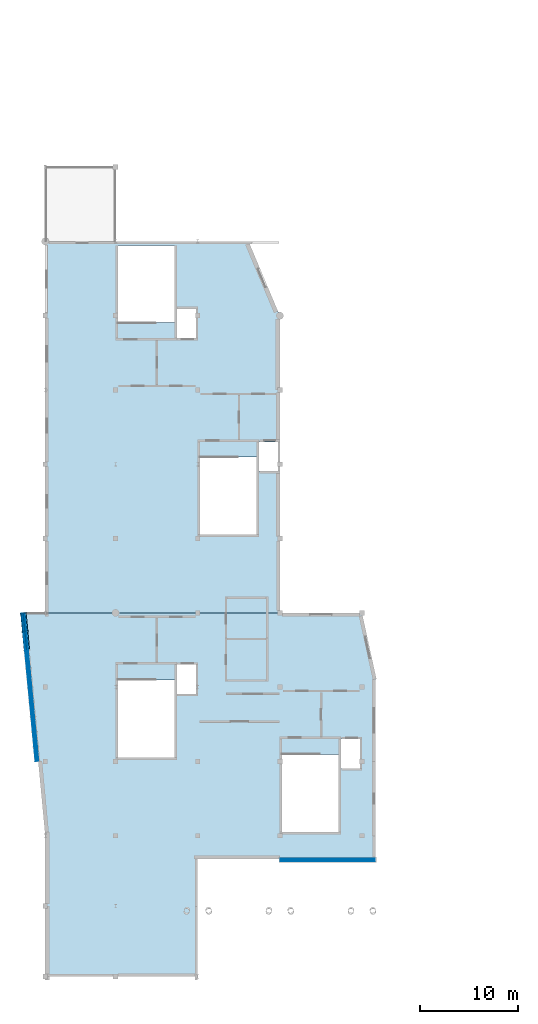
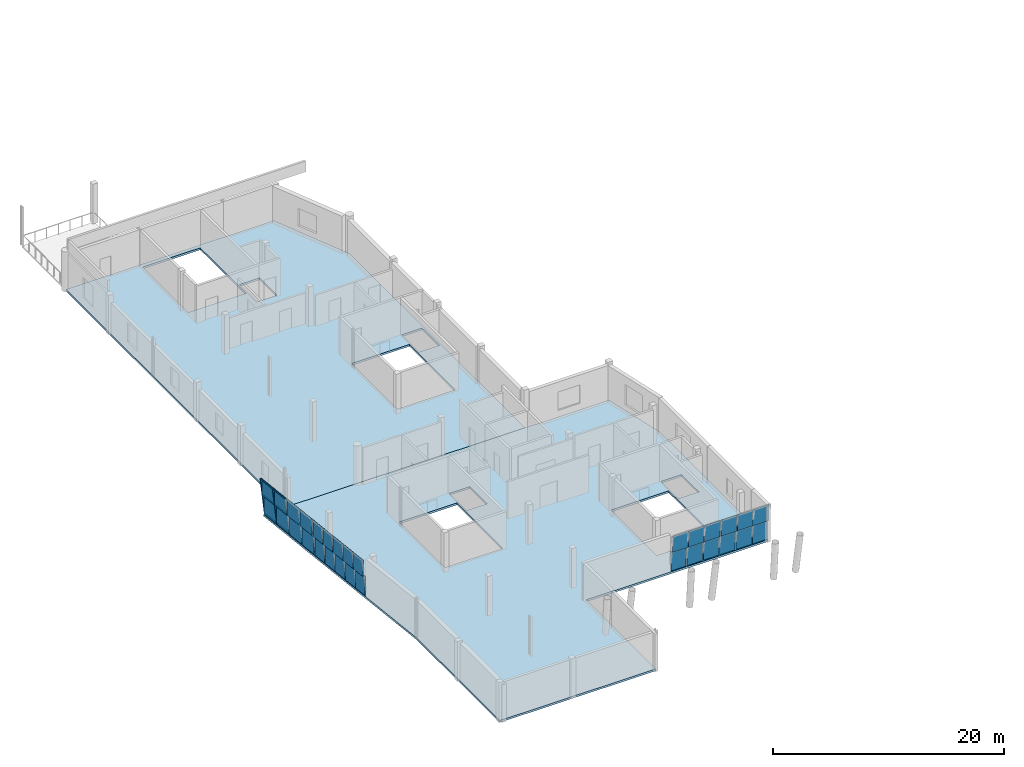
# One storey, part 9 of 17: 30 plates, 8 members, 2 slabs, 3 elements without a shape of their own.
"""IFC4 building model written with IfcOpenShell, lengths in metres."""

from ifc_helpers import new_model, si_unit, direction, frame, origin, origin_2d, place, context, subcontext, project, spatial, polyline, rectangle, hollow_rectangle, outline, extrude, material, layer, layer_set, material_profile, profile_set, type_object, element, aggregate, save


model = new_model("IFC4")

# Units and contexts
model_context = context("Model", 3, precision=1e-05, world=origin(), true_north=direction((0.0, 1.0)))
body_context = subcontext(model_context, "Body", "Model", "MODEL_VIEW")
ifc_project = project(units=[si_unit("LENGTHUNIT", "METRE"), si_unit("AREAUNIT", "SQUARE_METRE"), si_unit("VOLUMEUNIT", "CUBIC_METRE"), si_unit("PLANEANGLEUNIT", "RADIAN"), si_unit("MASSUNIT", "GRAM", prefix="KILO")], contexts=[model_context])

# Site, building, storey
site_placement = place(None, origin())
site = spatial("IfcSite", under=ifc_project, at=site_placement, CompositionType="ELEMENT")
building_placement = place(site_placement, origin())
building = spatial("IfcBuilding", under=site, at=building_placement, Name="Xicomal Pleat Aquarium", CompositionType="ELEMENT")
storey_placement = place(building_placement, frame((0.0, 0.0, 19.800048828125)))
storey = spatial("IfcBuildingStorey", under=building, at=storey_placement, Name="L05", CompositionType="ELEMENT", Elevation=19.800048828125)

# Curtain wall, members
ifc_material_1 = material(Name="Bronze anodized aluminium 6063-T6", Category="aluminium")
ifc_layer_1 = layer(ifc_material_1, 0.159912109375)
ifc_layer_set_1 = layer_set([ifc_layer_1], Name="Bronze anodized aluminium 6063-T6")
curtain_wall_type_1 = type_object("IfcCurtainWallType", Name="CW-SYS-10", PredefinedType="NOTDEFINED", material=ifc_layer_set_1)
curtain_wall_1_placement = place(storey_placement, origin())
curtain_wall_1 = element("IfcCurtainWall", 1, at=curtain_wall_1_placement, inside=storey, type_object=curtain_wall_type_1, Name="L05 unitised curtain wall CW-L05-175", PredefinedType="NOTDEFINED")
ifc_material_2 = material(Name="Bronze anodized aluminium 6063-T6", Category="aluminium")
ifc_material_profile_1 = material_profile(ifc_material_2, hollow_rectangle(XDim=0.074951171875, YDim=0.199951171875, WallThickness=0.00439453125, at=origin_2d()), Name="ALU MULL 75x200")
ifc_profile_set_1 = profile_set([ifc_material_profile_1], Name="Bronze anodized aluminium 6063-T6")
member_type_1 = type_object("IfcMemberType", Name="CWM-75x200", PredefinedType="MULLION", material=ifc_profile_set_1)
member_1_placement = place(storey_placement, frame((1.168212890625, 36.113037109375, 0.0), z_axis=(-0.117846238756, -0.01114182621, 0.992969346818), x_axis=(-0.186560223581, 0.982380614329, -0.011118073896)))
member_1 = element("IfcMember", 2, at=member_1_placement, type_object=member_type_1, Name="CW-10 mullion 4", PredefinedType="MULLION", context=body_context, shape_type="SweptSolid", body=[
    extrude(hollow_rectangle(XDim=0.074951171875, YDim=0.199951171875, WallThickness=0.00439453125, at=origin_2d()), origin(), (0.0, 0.0, 1.0), 3.988037109375),
])
member_2_placement = place(storey_placement, frame((0.992431640625, 37.9755859375, 0.0), z_axis=(-0.117846318917, -0.011080614922, 0.992970022252), x_axis=(-0.186054431186, 0.982476538601, -0.011117541711)))
member_2 = element("IfcMember", 3, at=member_2_placement, type_object=member_type_1, Name="CW-10 mullion 5", PredefinedType="MULLION", context=body_context, shape_type="SweptSolid", body=[
    extrude(hollow_rectangle(XDim=0.074951171875, YDim=0.199951171875, WallThickness=0.00439453125, at=origin_2d()), origin(), (0.0, 0.0, 1.0), 3.988037109375),
])
ifc_material_3 = material(Name="Bronze anodized aluminium 6063-T6", Category="aluminium")
ifc_material_profile_2 = material_profile(ifc_material_3, hollow_rectangle(XDim=0.074951171875, YDim=0.14990234375, WallThickness=0.00439453125, at=origin_2d()), Name="ALU TRAN 75x150")
ifc_profile_set_2 = profile_set([ifc_material_profile_2], Name="Bronze anodized aluminium 6063-T6")
member_type_2 = type_object("IfcMemberType", Name="CWT-75x150", PredefinedType="USERDEFINED", material=ifc_profile_set_2)
member_3_placement = place(storey_placement, frame((1.339599609375, 34.25, 0.037353515625), z_axis=(-0.094017231479, 0.995570570168, 0.0), x_axis=(-0.995570570168, -0.094017231479, 0.0)))
member_3 = element("IfcMember", 4, at=member_3_placement, type_object=member_type_2, Name="CW-10 transom 3.1", ObjectType="TRANSOM", PredefinedType="USERDEFINED", context=body_context, shape_type="SweptSolid", body=[
    extrude(hollow_rectangle(XDim=0.074951171875, YDim=0.14990234375, WallThickness=0.00439453125, at=origin_2d()), origin(), (0.0, 0.0, 1.0), 1.833251953125),
])
member_4_placement = place(storey_placement, frame((1.090087890625, 34.226318359375, 2.137939453125), z_axis=(-0.093872791349, 0.995584199877, 0.0), x_axis=(-0.995584199877, -0.093872791349, 0.0)))
member_4 = element("IfcMember", 5, at=member_4_placement, type_object=member_type_2, Name="CW-10 transom 3.2", ObjectType="TRANSOM", PredefinedType="USERDEFINED", context=body_context, shape_type="SweptSolid", body=[
    extrude(hollow_rectangle(XDim=0.074951171875, YDim=0.14990234375, WallThickness=0.00439453125, at=origin_2d()), origin(), (0.0, 0.0, 1.0), 1.83349609375),
])
member_5_placement = place(storey_placement, frame((0.87841796875, 34.206298828125, 3.92236328125), z_axis=(-0.094004768412, 0.995571747046, 0.0), x_axis=(-0.995571747046, -0.094004768412, 0.0)))
member_5 = element("IfcMember", 6, at=member_5_placement, type_object=member_type_2, Name="CW-10 transom 3.3", ObjectType="TRANSOM", PredefinedType="USERDEFINED", context=body_context, shape_type="SweptSolid", body=[
    extrude(hollow_rectangle(XDim=0.074951171875, YDim=0.14990234375, WallThickness=0.00439453125, at=origin_2d()), origin(), (0.0, 0.0, 1.0), 1.83349609375),
])
member_6_placement = place(storey_placement, frame((1.160400390625, 36.14990234375, 0.037353515625), z_axis=(-0.093930221081, 0.995578783205, 0.0), x_axis=(-0.995578783205, -0.093930221081, 0.0)))
member_6 = element("IfcMember", 7, at=member_6_placement, type_object=member_type_2, Name="CW-10 transom 4.1", ObjectType="TRANSOM", PredefinedType="USERDEFINED", context=body_context, shape_type="SweptSolid", body=[
    extrude(hollow_rectangle(XDim=0.074951171875, YDim=0.14990234375, WallThickness=0.00439453125, at=origin_2d()), origin(), (0.0, 0.0, 1.0), 1.796142578125),
])
member_7_placement = place(storey_placement, frame((0.910888671875, 36.12646484375, 2.137939453125), z_axis=(-0.093942934629, 0.995577583633, 0.0), x_axis=(-0.995577583633, -0.093942934629, 0.0)))
member_7 = element("IfcMember", 8, at=member_7_placement, type_object=member_type_2, Name="CW-10 transom 4.2", ObjectType="TRANSOM", PredefinedType="USERDEFINED", context=body_context, shape_type="SweptSolid", body=[
    extrude(hollow_rectangle(XDim=0.074951171875, YDim=0.14990234375, WallThickness=0.00439453125, at=origin_2d()), origin(), (0.0, 0.0, 1.0), 1.7958984375),
])
member_8_placement = place(storey_placement, frame((0.69921875, 36.1064453125, 3.92236328125), z_axis=(-0.093942934629, 0.995577583633, 0.0), x_axis=(-0.995577583633, -0.093942934629, 0.0)))
member_8 = element("IfcMember", 9, at=member_8_placement, type_object=member_type_2, Name="CW-10 transom 4.3", ObjectType="TRANSOM", PredefinedType="USERDEFINED", context=body_context, shape_type="SweptSolid", body=[
    extrude(hollow_rectangle(XDim=0.074951171875, YDim=0.14990234375, WallThickness=0.00439453125, at=origin_2d()), origin(), (0.0, 0.0, 1.0), 1.7958984375),
])

# Curtain wall, plates
ifc_material_4 = material(Name="Bronze anodized aluminium 6063-T6", Category="aluminium")
ifc_layer_2 = layer(ifc_material_4, 0.159912109375)
ifc_layer_set_2 = layer_set([ifc_layer_2], Name="Bronze anodized aluminium 6063-T6")
curtain_wall_type_2 = type_object("IfcCurtainWallType", Name="CW-SYS-05", PredefinedType="NOTDEFINED", material=ifc_layer_set_2)
curtain_wall_2_placement = place(storey_placement, origin())
curtain_wall_2 = element("IfcCurtainWall", 10, at=curtain_wall_2_placement, inside=storey, type_object=curtain_wall_type_2, Name="L05 unitised curtain wall CW-L05-173", PredefinedType="NOTDEFINED")
ifc_material_5 = material(Name="Insulated low-E laminated glass", Category="glass")
ifc_layer_3 = layer(ifc_material_5, 0.031982421875)
ifc_layer_set_3 = layer_set([ifc_layer_3], Name="Insulated low-E laminated glass")
plate_type_1 = type_object("IfcPlateType", Name="CWP-GLZ-32", PredefinedType="CURTAIN_PANEL", material=ifc_layer_set_3)
plate_1_placement = place(storey_placement, frame((35.962158203125, 12.85009765625, 0.0849609375), z_axis=(0.0, 0.0, 1.0), x_axis=(-1.0, 0.0, 0.0)))
plate_1 = element("IfcPlate", 11, at=plate_1_placement, type_object=plate_type_1, Name="CW-05 panel 1.1", PredefinedType="CURTAIN_PANEL", context=body_context, shape_type="SweptSolid", body=[
    extrude(rectangle(XDim=1.505859375, YDim=0.031982421875, at=origin_2d()), origin(), (0.0, 0.0, 1.0), 2.010498046875),
])
plate_2_placement = place(storey_placement, frame((35.962158203125, 12.618896484375, 2.1806640625), z_axis=(0.0, 0.0, 1.0), x_axis=(-1.0, 0.0, 0.0)))
plate_2 = element("IfcPlate", 12, at=plate_2_placement, type_object=plate_type_1, Name="CW-05 panel 1.2", PredefinedType="CURTAIN_PANEL", context=body_context, shape_type="SweptSolid", body=[
    extrude(rectangle(XDim=1.505859375, YDim=0.031982421875, at=origin_2d()), origin(), (0.0, 0.0, 1.0), 1.694580078125),
])
plate_3_placement = place(storey_placement, frame((34.35009765625, 12.85009765625, 0.0849609375), z_axis=(0.0, 0.0, 1.0), x_axis=(-1.0, 0.0, 0.0)))
plate_3 = element("IfcPlate", 13, at=plate_3_placement, type_object=plate_type_1, Name="CW-05 panel 2.1", PredefinedType="CURTAIN_PANEL", context=body_context, shape_type="SweptSolid", body=[
    extrude(rectangle(XDim=1.54833984375, YDim=0.031982421875, at=origin_2d()), origin(), (0.0, 0.0, 1.0), 2.010498046875),
])
plate_4_placement = place(storey_placement, frame((34.35009765625, 12.618896484375, 2.1806640625), z_axis=(0.0, 0.0, 1.0), x_axis=(-1.0, 0.0, 0.0)))
plate_4 = element("IfcPlate", 14, at=plate_4_placement, type_object=plate_type_1, Name="CW-05 panel 2.2", PredefinedType="CURTAIN_PANEL", context=body_context, shape_type="SweptSolid", body=[
    extrude(rectangle(XDim=1.54833984375, YDim=0.031982421875, at=origin_2d()), origin(), (0.0, 0.0, 1.0), 1.694580078125),
])
plate_5_placement = place(storey_placement, frame((32.716796875, 12.85009765625, 0.0849609375), z_axis=(0.0, 0.0, 1.0), x_axis=(-1.0, 0.0, 0.0)))
plate_5 = element("IfcPlate", 15, at=plate_5_placement, type_object=plate_type_1, Name="CW-05 panel 3.1", PredefinedType="CURTAIN_PANEL", context=body_context, shape_type="SweptSolid", body=[
    extrude(rectangle(XDim=1.54833984375, YDim=0.031982421875, at=origin_2d()), origin(), (0.0, 0.0, 1.0), 2.010498046875),
])
plate_6_placement = place(storey_placement, frame((32.716796875, 12.618896484375, 2.1806640625), z_axis=(0.0, 0.0, 1.0), x_axis=(-1.0, 0.0, 0.0)))
plate_6 = element("IfcPlate", 16, at=plate_6_placement, type_object=plate_type_1, Name="CW-05 panel 3.2", PredefinedType="CURTAIN_PANEL", context=body_context, shape_type="SweptSolid", body=[
    extrude(rectangle(XDim=1.54833984375, YDim=0.031982421875, at=origin_2d()), origin(), (0.0, 0.0, 1.0), 1.694580078125),
])
plate_7_placement = place(storey_placement, frame((31.083251953125, 12.85009765625, 0.0849609375), z_axis=(0.0, 0.0, 1.0), x_axis=(-1.0, 0.0, 0.0)))
plate_7 = element("IfcPlate", 17, at=plate_7_placement, type_object=plate_type_1, Name="CW-05 panel 4.1", PredefinedType="CURTAIN_PANEL", context=body_context, shape_type="SweptSolid", body=[
    extrude(rectangle(XDim=1.54833984375, YDim=0.031982421875, at=origin_2d()), origin(), (0.0, 0.0, 1.0), 2.010498046875),
])
plate_8_placement = place(storey_placement, frame((31.083251953125, 12.618896484375, 2.1806640625), z_axis=(0.0, 0.0, 1.0), x_axis=(-1.0, 0.0, 0.0)))
plate_8 = element("IfcPlate", 18, at=plate_8_placement, type_object=plate_type_1, Name="CW-05 panel 4.2", PredefinedType="CURTAIN_PANEL", context=body_context, shape_type="SweptSolid", body=[
    extrude(rectangle(XDim=1.54833984375, YDim=0.031982421875, at=origin_2d()), origin(), (0.0, 0.0, 1.0), 1.694580078125),
])
plate_9_placement = place(storey_placement, frame((29.449951171875, 12.85009765625, 0.0849609375), z_axis=(0.0, 0.0, 1.0), x_axis=(-1.0, 0.0, 0.0)))
plate_9 = element("IfcPlate", 19, at=plate_9_placement, type_object=plate_type_1, Name="CW-05 panel 5.1", PredefinedType="CURTAIN_PANEL", context=body_context, shape_type="SweptSolid", body=[
    extrude(rectangle(XDim=1.54833984375, YDim=0.031982421875, at=origin_2d()), origin(), (0.0, 0.0, 1.0), 2.010498046875),
])
plate_10_placement = place(storey_placement, frame((29.449951171875, 12.618896484375, 2.1806640625), z_axis=(0.0, 0.0, 1.0), x_axis=(-1.0, 0.0, 0.0)))
plate_10 = element("IfcPlate", 20, at=plate_10_placement, type_object=plate_type_1, Name="CW-05 panel 5.2", PredefinedType="CURTAIN_PANEL", context=body_context, shape_type="SweptSolid", body=[
    extrude(rectangle(XDim=1.54833984375, YDim=0.031982421875, at=origin_2d()), origin(), (0.0, 0.0, 1.0), 1.694580078125),
])
plate_11_placement = place(storey_placement, frame((27.837890625, 12.85009765625, 0.0849609375), z_axis=(0.0, 0.0, 1.0), x_axis=(-1.0, 0.0, 0.0)))
plate_11 = element("IfcPlate", 21, at=plate_11_placement, type_object=plate_type_1, Name="CW-05 panel 6.1", PredefinedType="CURTAIN_PANEL", context=body_context, shape_type="SweptSolid", body=[
    extrude(rectangle(XDim=1.505859375, YDim=0.031982421875, at=origin_2d()), origin(), (0.0, 0.0, 1.0), 2.010498046875),
])
plate_12_placement = place(storey_placement, frame((27.837890625, 12.618896484375, 2.1806640625), z_axis=(0.0, 0.0, 1.0), x_axis=(-1.0, 0.0, 0.0)))
plate_12 = element("IfcPlate", 22, at=plate_12_placement, type_object=plate_type_1, Name="CW-05 panel 6.2", PredefinedType="CURTAIN_PANEL", context=body_context, shape_type="SweptSolid", body=[
    extrude(rectangle(XDim=1.505859375, YDim=0.031982421875, at=origin_2d()), origin(), (0.0, 0.0, 1.0), 1.694580078125),
])
aggregate(curtain_wall_2, [plate_1, plate_2, plate_3, plate_4, plate_5, plate_6, plate_7, plate_8, plate_9, plate_10, plate_11, plate_12])

curtain_wall_3_placement = place(storey_placement, origin())
curtain_wall_3 = element("IfcCurtainWall", 23, at=curtain_wall_3_placement, inside=storey, type_object=curtain_wall_type_2, Name="L05 unitised curtain wall CW-L05-174", PredefinedType="NOTDEFINED")
ifc_material_6 = material(Name="Insulated low-E laminated glass", Category="glass")
ifc_layer_4 = layer(ifc_material_6, 0.035888671875)
ifc_layer_set_4 = layer_set([ifc_layer_4], Name="Insulated low-E laminated glass")
plate_type_2 = type_object("IfcPlateType", Name="CWP-GLZ-36", PredefinedType="CURTAIN_PANEL", material=ifc_layer_set_4)
plate_13_placement = place(storey_placement, frame((2.219970703125, 23.576904296875, 0.06494140625), z_axis=(0.0, 0.0, 1.0), x_axis=(-0.093795200412, 0.99559151281, 0.0)))
plate_13 = element("IfcPlate", 24, at=plate_13_placement, type_object=plate_type_2, Name="CW-05 panel 1.1", PredefinedType="CURTAIN_PANEL", context=body_context, shape_type="SweptSolid", body=[
    extrude(rectangle(XDim=1.42919921875, YDim=0.035888671875, at=origin_2d()), origin(), (0.0, 0.0, 1.0), 2.04052734375),
])
plate_14_placement = place(storey_placement, frame((1.989013671875, 23.555419921875, 2.17041015625), z_axis=(0.0, 0.0, 1.0), x_axis=(-0.093795200412, 0.99559151281, 0.0)))
plate_14 = element("IfcPlate", 25, at=plate_14_placement, type_object=plate_type_2, Name="CW-05 panel 1.2", PredefinedType="CURTAIN_PANEL", context=body_context, shape_type="SweptSolid", body=[
    extrude(rectangle(XDim=1.42919921875, YDim=0.035888671875, at=origin_2d()), origin(), (0.0, 0.0, 1.0), 1.724609375),
])
plate_15_placement = place(storey_placement, frame((2.078369140625, 25.080810546875, 0.06494140625), z_axis=(0.0, 0.0, 1.0), x_axis=(-0.093795200412, 0.99559151281, 0.0)))
plate_15 = element("IfcPlate", 26, at=plate_15_placement, type_object=plate_type_2, Name="CW-05 panel 2.1", PredefinedType="CURTAIN_PANEL", context=body_context, shape_type="SweptSolid", body=[
    extrude(rectangle(XDim=1.461669921875, YDim=0.035888671875, at=origin_2d()), origin(), (0.0, 0.0, 1.0), 2.04052734375),
])
plate_16_placement = place(storey_placement, frame((1.84716796875, 25.05908203125, 2.17041015625), z_axis=(0.0, 0.0, 1.0), x_axis=(-0.093795200412, 0.99559151281, 0.0)))
plate_16 = element("IfcPlate", 27, at=plate_16_placement, type_object=plate_type_2, Name="CW-05 panel 2.2", PredefinedType="CURTAIN_PANEL", context=body_context, shape_type="SweptSolid", body=[
    extrude(rectangle(XDim=1.461669921875, YDim=0.035888671875, at=origin_2d()), origin(), (0.0, 0.0, 1.0), 1.724609375),
])
plate_17_placement = place(storey_placement, frame((1.935302734375, 26.600830078125, 0.06494140625), z_axis=(0.0, 0.0, 1.0), x_axis=(-0.093795200412, 0.99559151281, 0.0)))
plate_17 = element("IfcPlate", 28, at=plate_17_placement, type_object=plate_type_2, Name="CW-05 panel 3.1", PredefinedType="CURTAIN_PANEL", context=body_context, shape_type="SweptSolid", body=[
    extrude(rectangle(XDim=1.461669921875, YDim=0.035888671875, at=origin_2d()), origin(), (0.0, 0.0, 1.0), 2.04052734375),
])
plate_18_placement = place(storey_placement, frame((1.7041015625, 26.5791015625, 2.17041015625), z_axis=(0.0, 0.0, 1.0), x_axis=(-0.093795200412, 0.99559151281, 0.0)))
plate_18 = element("IfcPlate", 29, at=plate_18_placement, type_object=plate_type_2, Name="CW-05 panel 3.2", PredefinedType="CURTAIN_PANEL", context=body_context, shape_type="SweptSolid", body=[
    extrude(rectangle(XDim=1.461669921875, YDim=0.035888671875, at=origin_2d()), origin(), (0.0, 0.0, 1.0), 1.724609375),
])
plate_19_placement = place(storey_placement, frame((1.7919921875, 28.120849609375, 0.06494140625), z_axis=(0.0, 0.0, 1.0), x_axis=(-0.093795200412, 0.99559151281, 0.0)))
plate_19 = element("IfcPlate", 30, at=plate_19_placement, type_object=plate_type_2, Name="CW-05 panel 4.1", PredefinedType="CURTAIN_PANEL", context=body_context, shape_type="SweptSolid", body=[
    extrude(rectangle(XDim=1.461669921875, YDim=0.035888671875, at=origin_2d()), origin(), (0.0, 0.0, 1.0), 2.04052734375),
])
plate_20_placement = place(storey_placement, frame((1.560791015625, 28.09912109375, 2.17041015625), z_axis=(0.0, 0.0, 1.0), x_axis=(-0.093795200412, 0.99559151281, 0.0)))
plate_20 = element("IfcPlate", 31, at=plate_20_placement, type_object=plate_type_2, Name="CW-05 panel 4.2", PredefinedType="CURTAIN_PANEL", context=body_context, shape_type="SweptSolid", body=[
    extrude(rectangle(XDim=1.461669921875, YDim=0.035888671875, at=origin_2d()), origin(), (0.0, 0.0, 1.0), 1.724609375),
])
plate_21_placement = place(storey_placement, frame((1.650390625, 29.624755859375, 0.06494140625), z_axis=(0.0, 0.0, 1.0), x_axis=(-0.093795200412, 0.99559151281, 0.0)))
plate_21 = element("IfcPlate", 32, at=plate_21_placement, type_object=plate_type_2, Name="CW-05 panel 5.1", PredefinedType="CURTAIN_PANEL", context=body_context, shape_type="SweptSolid", body=[
    extrude(rectangle(XDim=1.42919921875, YDim=0.035888671875, at=origin_2d()), origin(), (0.0, 0.0, 1.0), 2.04052734375),
])
plate_22_placement = place(storey_placement, frame((1.419189453125, 29.602783203125, 2.17041015625), z_axis=(0.0, 0.0, 1.0), x_axis=(-0.093795200412, 0.99559151281, 0.0)))
plate_22 = element("IfcPlate", 33, at=plate_22_placement, type_object=plate_type_2, Name="CW-05 panel 5.2", PredefinedType="CURTAIN_PANEL", context=body_context, shape_type="SweptSolid", body=[
    extrude(rectangle(XDim=1.42919921875, YDim=0.035888671875, at=origin_2d()), origin(), (0.0, 0.0, 1.0), 1.724609375),
])
aggregate(curtain_wall_3, [plate_13, plate_14, plate_15, plate_16, plate_17, plate_18, plate_19, plate_20, plate_21, plate_22])

# Plate
ifc_material_7 = material(Name="Insulated low-E laminated glass", Category="glass")
ifc_layer_5 = layer(ifc_material_7, 0.0419921875)
ifc_layer_set_5 = layer_set([ifc_layer_5], Name="Insulated low-E laminated glass")
plate_type_3 = type_object("IfcPlateType", Name="CWP-GLZ-42", PredefinedType="CURTAIN_PANEL", material=ifc_layer_set_5)
plate_23_placement = place(storey_placement, frame((1.485595703125, 31.369384765625, 0.074951171875), z_axis=(0.0, 0.0, 1.0), x_axis=(-0.09392504444, 0.995579271594, 0.0)))
plate_23 = element("IfcPlate", 34, at=plate_23_placement, type_object=plate_type_3, Name="CW-10 panel 1.1", PredefinedType="CURTAIN_PANEL", context=body_context, shape_type="SweptSolid", body=[
    extrude(rectangle(XDim=1.7958984375, YDim=0.0419921875, at=origin_2d()), origin(), (0.0, 0.0, 1.0), 2.025390625),
])

plate_24_placement = place(storey_placement, frame((1.2548828125, 31.34765625, 2.17529296875), z_axis=(0.0, 0.0, 1.0), x_axis=(-0.09392504444, 0.995579271594, 0.0)))
plate_24 = element("IfcPlate", 35, at=plate_24_placement, type_object=plate_type_3, Name="CW-10 panel 1.2", PredefinedType="CURTAIN_PANEL", context=body_context, shape_type="SweptSolid", body=[
    extrude(rectangle(XDim=1.7958984375, YDim=0.0419921875, at=origin_2d()), origin(), (0.0, 0.0, 1.0), 1.70947265625),
])

plate_25_placement = place(storey_placement, frame((1.30810546875, 33.250732421875, 0.074951171875), z_axis=(0.0, 0.0, 1.0), x_axis=(-0.09392504444, 0.995579271594, 0.0)))
plate_25 = element("IfcPlate", 36, at=plate_25_placement, type_object=plate_type_3, Name="CW-10 panel 2.1", PredefinedType="CURTAIN_PANEL", context=body_context, shape_type="SweptSolid", body=[
    extrude(rectangle(XDim=1.83349609375, YDim=0.0419921875, at=origin_2d()), origin(), (0.0, 0.0, 1.0), 2.025390625),
])

plate_26_placement = place(storey_placement, frame((1.077392578125, 33.22900390625, 2.17529296875), z_axis=(0.0, 0.0, 1.0), x_axis=(-0.09392504444, 0.995579271594, 0.0)))
plate_26 = element("IfcPlate", 37, at=plate_26_placement, type_object=plate_type_3, Name="CW-10 panel 2.2", PredefinedType="CURTAIN_PANEL", context=body_context, shape_type="SweptSolid", body=[
    extrude(rectangle(XDim=1.83349609375, YDim=0.0419921875, at=origin_2d()), origin(), (0.0, 0.0, 1.0), 1.70947265625),
])

plate_27_placement = place(storey_placement, frame((1.128662109375, 35.15087890625, 0.074951171875), z_axis=(0.0, 0.0, 1.0), x_axis=(-0.09392504444, 0.995579271594, 0.0)))
plate_27 = element("IfcPlate", 38, at=plate_27_placement, type_object=plate_type_3, Name="CW-10 panel 3.1", PredefinedType="CURTAIN_PANEL", context=body_context, shape_type="SweptSolid", body=[
    extrude(rectangle(XDim=1.83349609375, YDim=0.0419921875, at=origin_2d()), origin(), (0.0, 0.0, 1.0), 2.025390625),
])

plate_28_placement = place(storey_placement, frame((0.898193359375, 35.12890625, 2.17529296875), z_axis=(0.0, 0.0, 1.0), x_axis=(-0.09392504444, 0.995579271594, 0.0)))
plate_28 = element("IfcPlate", 39, at=plate_28_placement, type_object=plate_type_3, Name="CW-10 panel 3.2", PredefinedType="CURTAIN_PANEL", context=body_context, shape_type="SweptSolid", body=[
    extrude(rectangle(XDim=1.83349609375, YDim=0.0419921875, at=origin_2d()), origin(), (0.0, 0.0, 1.0), 1.70947265625),
])

plate_29_placement = place(storey_placement, frame((0.951416015625, 37.031982421875, 0.074951171875), z_axis=(0.0, 0.0, 1.0), x_axis=(-0.09392504444, 0.995579271594, 0.0)))
plate_29 = element("IfcPlate", 40, at=plate_29_placement, type_object=plate_type_3, Name="CW-10 panel 4.1", PredefinedType="CURTAIN_PANEL", context=body_context, shape_type="SweptSolid", body=[
    extrude(rectangle(XDim=1.7958984375, YDim=0.0419921875, at=origin_2d()), origin(), (0.0, 0.0, 1.0), 2.025390625),
])

plate_30_placement = place(storey_placement, frame((0.720703125, 37.010498046875, 2.17529296875), z_axis=(0.0, 0.0, 1.0), x_axis=(-0.09392504444, 0.995579271594, 0.0)))
plate_30 = element("IfcPlate", 41, at=plate_30_placement, type_object=plate_type_3, Name="CW-10 panel 4.2", PredefinedType="CURTAIN_PANEL", context=body_context, shape_type="SweptSolid", body=[
    extrude(rectangle(XDim=1.7958984375, YDim=0.0419921875, at=origin_2d()), origin(), (0.0, 0.0, 1.0), 1.70947265625),
])

aggregate(curtain_wall_1, [member_1, member_2, plate_23, plate_24, plate_25, plate_26, member_3, member_4, member_5, plate_27, plate_28, member_6, member_7, member_8, plate_29, plate_30])

# Slabs
ifc_material_8 = material(Name="Concrete C35/45", Category="concrete")
ifc_layer_6 = layer(ifc_material_8, 0.2099609375)
ifc_layer_set_6 = layer_set([ifc_layer_6], Name="Concrete C35/45")
slab_type = type_object("IfcSlabType", Name="SLB-FLR-210", PredefinedType="FLOOR", material=ifc_layer_set_6)
slab_1_placement = place(storey_placement, frame((0.0, 0.0, -0.2099609375)))
element("IfcSlab", 42, at=slab_1_placement, inside=storey, type_object=slab_type, Name="L05 structural slab V6", PredefinedType="FLOOR", context=body_context, shape_type="SweptSolid", body=[
    extrude(outline(polyline([(3.0, 15.199951171875), (0.85009765625, 38.0), (35.39990234375, 38.0), (36.800048828125, 31.60009765625), (36.800048828125, 12.840087890625), (18.60009765625, 12.840087890625), (18.60009765625, 0.800048828125), (3.0, 0.800048828125), (3.0, 15.199951171875)]), holes=[polyline([(10.43994140625, 23.199951171875), (16.219970703125, 23.199951171875), (16.219970703125, 31.1201171875), (10.43994140625, 31.1201171875), (10.43994140625, 23.199951171875)]), polyline([(16.360107421875, 29.699951171875), (18.39990234375, 29.699951171875), (18.39990234375, 32.699951171875), (16.360107421875, 32.699951171875), (16.360107421875, 29.699951171875)]), polyline([(27.239990234375, 15.60009765625), (33.02001953125, 15.60009765625), (33.02001953125, 23.52001953125), (27.239990234375, 23.52001953125), (27.239990234375, 15.60009765625)]), polyline([(33.159912109375, 22.10009765625), (35.199951171875, 22.10009765625), (35.199951171875, 25.10009765625), (33.159912109375, 25.10009765625), (33.159912109375, 22.10009765625)])]), origin(), (0.0, 0.0, 1.0), 0.2099609375),
])
slab_2_placement = place(storey_placement, frame((0.0, 0.0, -0.2099609375)))
element("IfcSlab", 43, at=slab_2_placement, inside=storey, type_object=slab_type, Name="L05 structural slab V5", PredefinedType="FLOOR", context=body_context, shape_type="SweptSolid", body=[
    extrude(outline(polyline([(3.0, 38.0), (3.0, 76.0), (23.800048828125, 76.0), (27.0, 68.39990234375), (27.0, 38.0), (3.0, 38.0)]), holes=[polyline([(10.43994140625, 67.679931640625), (16.219970703125, 67.679931640625), (16.219970703125, 75.60009765625), (10.43994140625, 75.60009765625), (10.43994140625, 67.679931640625)]), polyline([(16.360107421875, 66.10009765625), (18.39990234375, 66.10009765625), (18.39990234375, 69.10009765625), (16.360107421875, 69.10009765625), (16.360107421875, 66.10009765625)]), polyline([(18.840087890625, 46.0), (24.6201171875, 46.0), (24.6201171875, 53.919921875), (18.840087890625, 53.919921875), (18.840087890625, 46.0)]), polyline([(24.760009765625, 52.5), (26.800048828125, 52.5), (26.800048828125, 55.5), (24.760009765625, 55.5), (24.760009765625, 52.5)])]), origin(), (0.0, 0.0, 1.0), 0.2099609375),
])

save(model, "model.ifc")
